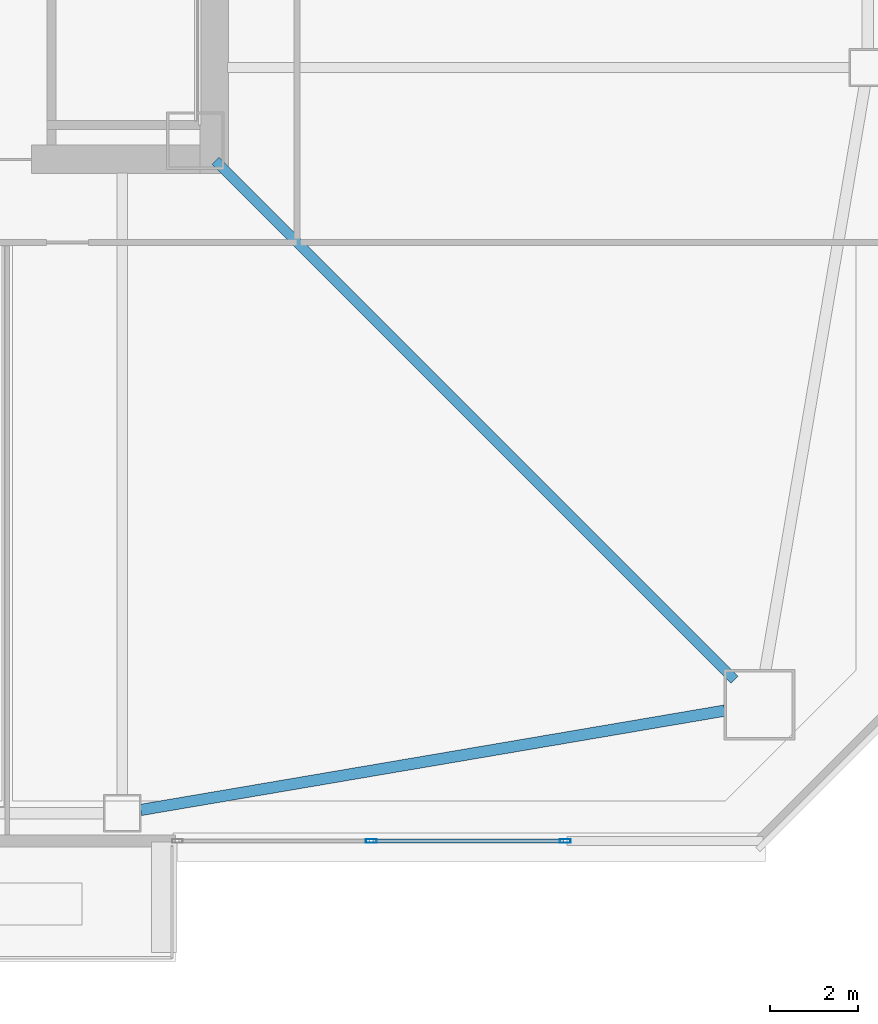
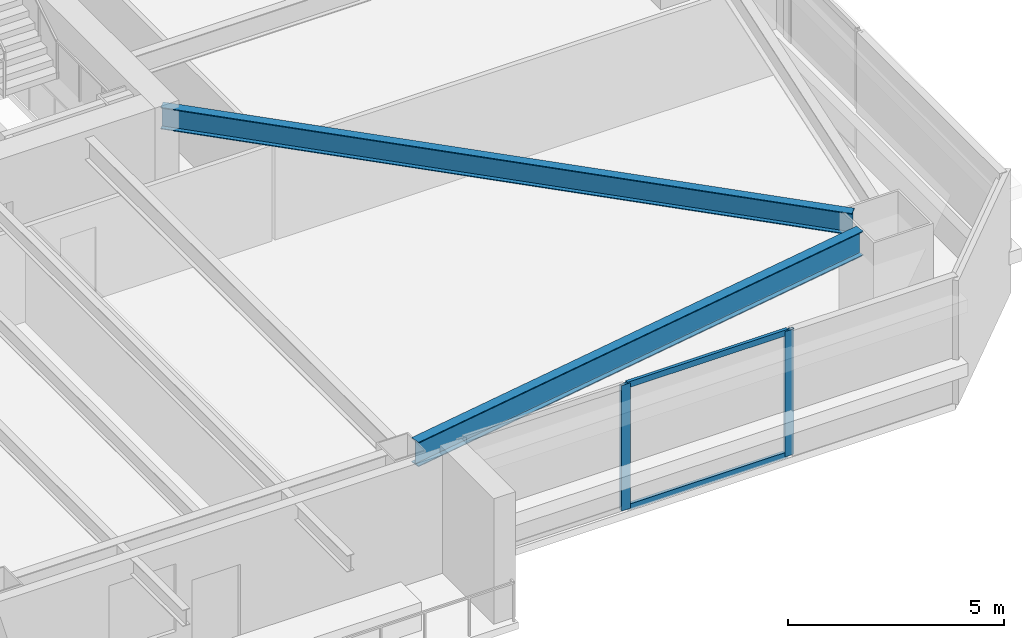
# One storey, part 9 of 46: 4 members, 2 beams, 1 element without a shape of its own.
"""IFC4 building model written with IfcOpenShell, lengths in metres."""

from ifc_helpers import new_model, si_unit, direction, frame, origin, origin_2d, place, context, subcontext, project, spatial, hollow_rectangle, i_section, extrude, material, material_profile, profile_set, type_object, element, aggregate, save


model = new_model("IFC4")

# Units and contexts
model_context = context("Model", 3, precision=1e-05, world=origin(), true_north=direction((0.0, 1.0)))
body_context = subcontext(model_context, "Body", "Model", "MODEL_VIEW")
ifc_project = project(units=[si_unit("LENGTHUNIT", "METRE"), si_unit("AREAUNIT", "SQUARE_METRE"), si_unit("VOLUMEUNIT", "CUBIC_METRE"), si_unit("PLANEANGLEUNIT", "RADIAN"), si_unit("MASSUNIT", "GRAM", prefix="KILO")], contexts=[model_context])

# Site, building, storey
site_placement = place(None, origin())
site = spatial("IfcSite", under=ifc_project, at=site_placement, CompositionType="ELEMENT")
building_placement = place(site_placement, origin())
building = spatial("IfcBuilding", under=site, at=building_placement, Name="Tashvorn Skyway Center", CompositionType="ELEMENT")
storey_placement = place(building_placement, frame((0.0, 0.0, 60.10009765625)))
storey = spatial("IfcBuildingStorey", under=building, at=storey_placement, Name="L15", CompositionType="ELEMENT", Elevation=60.10009765625)

# Beams
ifc_material_1 = material(Name="Steel ASTM A992 Grade 50", Category="steel")
ifc_material_profile_1 = material_profile(ifc_material_1, i_section(OverallWidth=0.22998046875, OverallDepth=0.616943359375, WebThickness=0.01318359375, FlangeThickness=0.022216796875, at=origin_2d()), Name="W24X94")
ifc_profile_set_1 = profile_set([ifc_material_profile_1], Name="Steel ASTM A992 Grade 50")
beam_type_1 = type_object("IfcBeamType", Name="BM-BEAM-W24X94", PredefinedType="BEAM", material=ifc_profile_set_1)
beam_1_placement = place(storey_placement, frame((61.23779296875, 12.76220703125, 3.04150390625), z_axis=(-0.707106781187, 0.707106781187, 0.0), x_axis=(-0.707106781187, -0.707106781187, 0.0)))
element("IfcBeam", 1, at=beam_1_placement, inside=storey, type_object=beam_type_1, Name="Tower 1 L15 Primary Floor Girder MC-SE", PredefinedType="BEAM", context=body_context, shape_type="SweptSolid", body=[
    extrude(i_section(OverallWidth=0.22998046875, OverallDepth=0.616943359375, WebThickness=0.01318359375, FlangeThickness=0.022216796875, at=origin_2d()), origin(), (0.0, 0.0, 1.0), 16.591064453125),
])
ifc_material_profile_2 = material_profile(ifc_material_1, i_section(OverallWidth=0.256103515625, OverallDepth=0.693115234375, WebThickness=0.014404296875, FlangeThickness=0.023681640625, at=origin_2d()), Name="W27X114")
ifc_profile_set_2 = profile_set([ifc_material_profile_2], Name="Steel ASTM A992 Grade 50")
beam_type_2 = type_object("IfcBeamType", Name="BM-SPANDREL-W27X114", PredefinedType="SPANDREL", material=ifc_profile_set_2)
beam_2_placement = place(storey_placement, frame((47.81396484375, 9.820556640625, 3.00341796875), z_axis=(0.985835025551, 0.16771792509, 0.0), x_axis=(-0.16771792509, 0.985835025551, 0.0)))
element("IfcBeam", 2, at=beam_2_placement, inside=storey, type_object=beam_type_2, Name="Tower 1 L15 Spandrel Beam 03", PredefinedType="SPANDREL", context=body_context, shape_type="SweptSolid", body=[
    extrude(i_section(OverallWidth=0.256103515625, OverallDepth=0.693115234375, WebThickness=0.014404296875, FlangeThickness=0.023681640625, at=origin_2d()), origin(), (0.0, 0.0, 1.0), 13.39208984375),
])

# Curtain wall, members
ifc_material_2 = material(Name="Thermally broken bronze-anodized aluminium 6063-T6", Category="aluminium")
curtain_wall_type = type_object("IfcCurtainWallType", Name="CW-CW-Z1", PredefinedType="NOTDEFINED", material=ifc_material_2)
curtain_wall_placement = place(storey_placement, origin())
curtain_wall = element("IfcCurtainWall", 3, at=curtain_wall_placement, inside=storey, type_object=curtain_wall_type, Name="Tower 1 L15 South Curtain Wall L Glazing Group 1", PredefinedType="NOTDEFINED")
ifc_material_profile_3 = material_profile(ifc_material_2, hollow_rectangle(XDim=0.0849609375, YDim=0.239990234375, WallThickness=0.0048828125, at=origin_2d()), Name="ALU-MULL-85x240")
ifc_profile_set_3 = profile_set([ifc_material_profile_3], Name="Thermally broken bronze-anodized aluminium 6063-T6")
member_type_1 = type_object("IfcMemberType", Name="CWM-CW-Z1", PredefinedType="MULLION", material=ifc_profile_set_3)
member_1_placement = place(storey_placement, frame((57.410888671875, 9.1201171875, 0.0), z_axis=(0.0, 0.0, 1.0), x_axis=(0.0, -1.0, 0.0)))
member_1 = element("IfcMember", 4, at=member_1_placement, type_object=member_type_1, Name="CW-Z1 mullion 1", PredefinedType="MULLION", context=body_context, shape_type="SweptSolid", body=[
    extrude(hollow_rectangle(XDim=0.0849609375, YDim=0.239990234375, WallThickness=0.0048828125, at=origin_2d()), origin(), (0.0, 0.0, 1.0), 3.5498046875),
])
member_2_placement = place(storey_placement, frame((53.026611328125, 9.1201171875, 0.0), z_axis=(0.0, 0.0, 1.0), x_axis=(0.0, -1.0, 0.0)))
member_2 = element("IfcMember", 5, at=member_2_placement, type_object=member_type_1, Name="CW-Z1 mullion 2", PredefinedType="MULLION", context=body_context, shape_type="SweptSolid", body=[
    extrude(hollow_rectangle(XDim=0.0849609375, YDim=0.239990234375, WallThickness=0.0048828125, at=origin_2d()), origin(), (0.0, 0.0, 1.0), 3.5498046875),
])
ifc_material_profile_4 = material_profile(ifc_material_2, hollow_rectangle(XDim=0.0849609375, YDim=0.1650390625, WallThickness=0.0048828125, at=origin_2d()), Name="ALU-TRAN-85x165")
ifc_profile_set_4 = profile_set([ifc_material_profile_4], Name="Thermally broken bronze-anodized aluminium 6063-T6")
member_type_2 = type_object("IfcMemberType", Name="CWT-CW-Z1", PredefinedType="USERDEFINED", material=ifc_profile_set_4)
member_3_placement = place(storey_placement, frame((57.368408203125, 9.1201171875, 0.04248046875), z_axis=(-1.0, 0.0, 0.0), x_axis=(0.0, -1.0, 0.0)))
member_3 = element("IfcMember", 6, at=member_3_placement, type_object=member_type_2, Name="CW-Z1 transom 1.1", ObjectType="TRANSOM", PredefinedType="USERDEFINED", context=body_context, shape_type="SweptSolid", body=[
    extrude(hollow_rectangle(XDim=0.0849609375, YDim=0.1650390625, WallThickness=0.0048828125, at=origin_2d()), origin(), (0.0, 0.0, 1.0), 4.29931640625),
])
member_4_placement = place(storey_placement, frame((57.368408203125, 9.1201171875, 3.50732421875), z_axis=(-1.0, 0.0, 0.0), x_axis=(0.0, -1.0, 0.0)))
member_4 = element("IfcMember", 7, at=member_4_placement, type_object=member_type_2, Name="CW-Z1 transom 1.2", ObjectType="TRANSOM", PredefinedType="USERDEFINED", context=body_context, shape_type="SweptSolid", body=[
    extrude(hollow_rectangle(XDim=0.0849609375, YDim=0.1650390625, WallThickness=0.0048828125, at=origin_2d()), origin(), (0.0, 0.0, 1.0), 4.29931640625),
])
aggregate(curtain_wall, [member_1, member_2, member_3, member_4])

save(model, "model.ifc")
